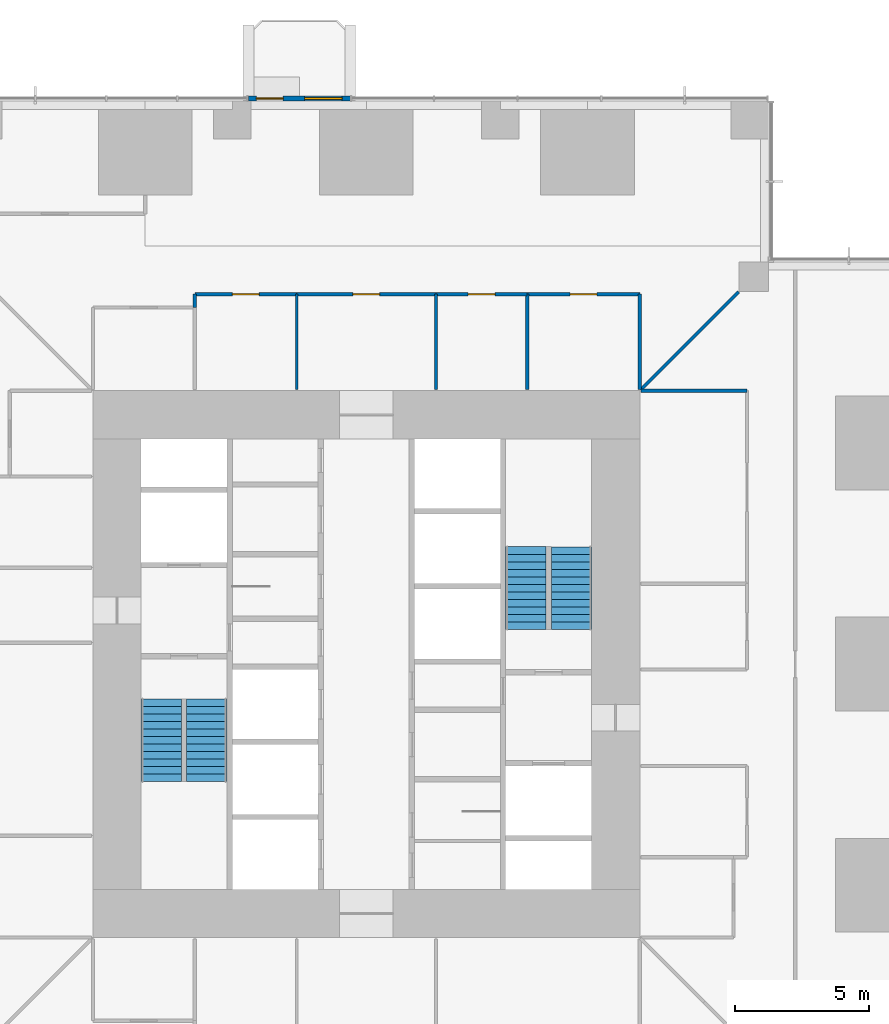
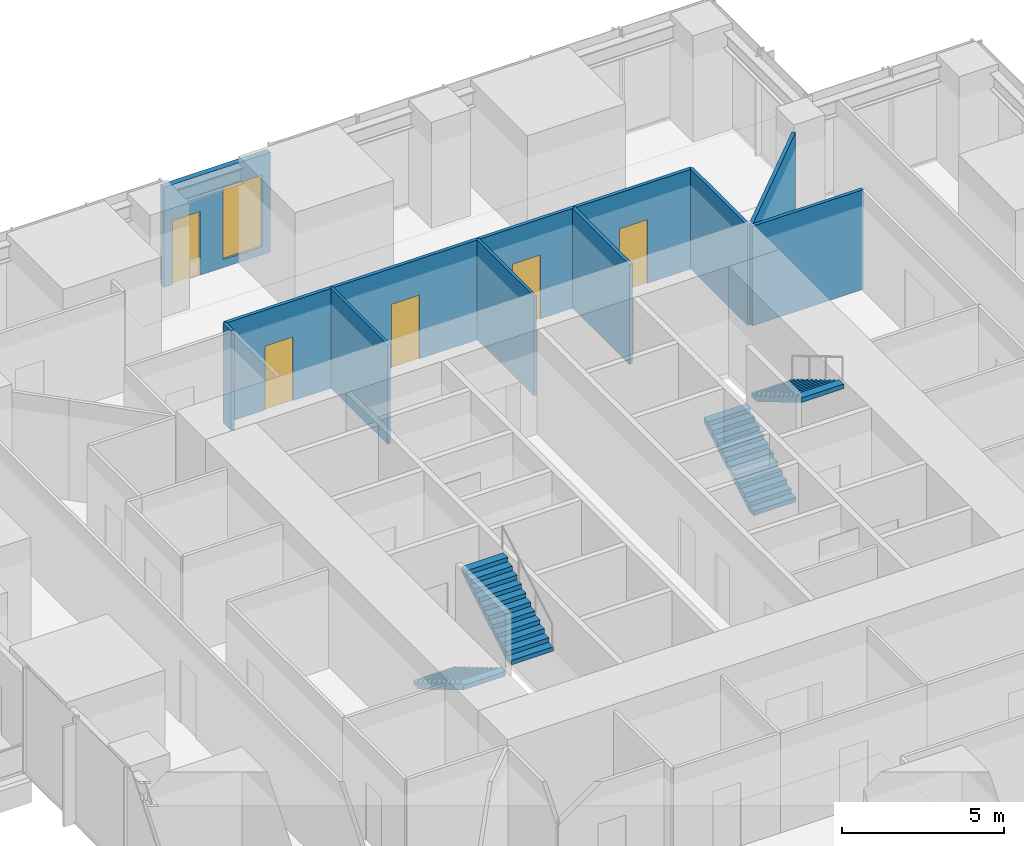
# One storey, part 12 of 15: 12 walls, 5 doors, 4 stair flights, 1 window, 6 openings, 2 elements without a shape of their own.
"""IFC4 building model written with IfcOpenShell, lengths in metres."""

from ifc_helpers import new_model, si_unit, direction, frame, frame_2d, origin, place, context, subcontext, project, spatial, polyline, rectangle, outline, extrude, material, layer, layer_set, type_object, element, fill, aggregate, save


model = new_model("IFC4")

# Units and contexts
model_context = context("Model", 3, precision=1e-05, world=origin(), true_north=direction((0.0, 1.0)))
body_context = subcontext(model_context, "Body", "Model", "MODEL_VIEW")
ifc_project = project(units=[si_unit("LENGTHUNIT", "METRE"), si_unit("AREAUNIT", "SQUARE_METRE"), si_unit("VOLUMEUNIT", "CUBIC_METRE"), si_unit("PLANEANGLEUNIT", "RADIAN"), si_unit("MASSUNIT", "GRAM", prefix="KILO")], contexts=[model_context])

# Site, building, storey
site_placement = place(None, origin())
site = spatial("IfcSite", under=ifc_project, at=site_placement, CompositionType="ELEMENT")
building_placement = place(site_placement, origin())
building = spatial("IfcBuilding", under=site, at=building_placement, Name="Svetlomir Tower", CompositionType="ELEMENT")
storey_placement = place(building_placement, frame((0.0, 0.0, 26.5)))
storey = spatial("IfcBuildingStorey", under=building, at=storey_placement, Name="L05", CompositionType="ELEMENT", Elevation=26.5)

# Wall, openings, door, window
ifc_material_1 = material(Name="Bronze anodised aluminium glazed screen", Category="aluminium")
ifc_layer_1 = layer(ifc_material_1, 0.199951171875)
ifc_layer_set_1 = layer_set([ifc_layer_1], Name="Bronze anodised aluminium glazed screen")
wall_type_1 = type_object("IfcWallType", Name="BALCONY SCREEN WALL 200", PredefinedType="USERDEFINED", material=ifc_layer_set_1)
wall_1_placement = place(storey_placement, frame((20.39990234375, 42.10009765625, 0.0), z_axis=(0.0, 0.0, 1.0), x_axis=(-1.0, 0.0, 0.0)))
wall_1 = element("IfcWall", 1, at=wall_1_placement, inside=storey, type_object=wall_type_1, Name="Balcony screen N", ObjectType="GLAZED SCREEN", PredefinedType="USERDEFINED", context=body_context, shape_type="SweptSolid", body=[
    extrude(rectangle(XDim=3.7998046875, YDim=0.199951171875, at=frame_2d((1.89990234375, 0.0))), origin(), (0.0, 0.0, 1.0), 3.75),
])
opening_1_placement = place(wall_1_placement, frame((2.5, 0.0, 0.0)))
opening_1 = element("IfcOpeningElement", 2, at=opening_1_placement, cuts=wall_1, Name="Opening BD", PredefinedType="OPENING", context=body_context, shape_type="SweptSolid", body=[
    extrude(rectangle(XDim=1.0, YDim=2.39990234375, at=frame_2d((0.5, 1.199951171875))), frame((0.0, 0.10986328125, 0.0), z_axis=(0.0, -1.0, 0.0), x_axis=(1.0, 0.0, 0.0)), (0.0, 0.0, 1.0), 0.219970703125),
])
opening_2_placement = place(wall_1_placement, frame((0.300048828125, 0.0, 0.300048828125)))
opening_2 = element("IfcOpeningElement", 3, at=opening_2_placement, cuts=wall_1, Name="Opening WS2", PredefinedType="OPENING", context=body_context, shape_type="SweptSolid", body=[
    extrude(rectangle(XDim=1.39990234375, YDim=2.699951171875, at=frame_2d((0.699951171875, 1.35009765625))), frame((0.0, 0.10986328125, 0.0), z_axis=(0.0, -1.0, 0.0), x_axis=(1.0, 0.0, 0.0)), (0.0, 0.0, 1.0), 0.219970703125),
])
ifc_material_2 = material(Name="Bronze anodised aluminium glazed door", Category="aluminium")
door_type_1 = type_object("IfcDoorType", Name="BALCONY DOOR BD 1000x2400", OperationType="SINGLE_SWING_LEFT", PredefinedType="DOOR", material=ifc_material_2)
door_1_placement = place(opening_1_placement, origin())
door_1 = element("IfcDoor", 4, at=door_1_placement, inside=storey, type_object=door_type_1, Name="Balcony screen N door", OperationType="SINGLE_SWING_LEFT", OverallHeight=2.39990234375, OverallWidth=1.0, PredefinedType="DOOR", context=body_context, shape_type="SweptSolid", body=[
    extrude(rectangle(XDim=1.0, YDim=2.39990234375, at=frame_2d((0.5, 1.199951171875))), frame((0.0, 0.02490234375, 0.0), z_axis=(0.0, -1.0, 0.0), x_axis=(1.0, 0.0, 0.0)), (0.0, 0.0, 1.0), 0.050048828125),
])
fill(opening_1, door_1)
ifc_material_3 = material(Name="Bronze anodised aluminium window", Category="aluminium")
window_type = type_object("IfcWindowType", Name="SCREEN WINDOW WS2 1400x2700", PartitioningType="SINGLE_PANEL", PredefinedType="WINDOW", material=ifc_material_3)
window_placement = place(opening_2_placement, origin())
window = element("IfcWindow", 5, at=window_placement, inside=storey, type_object=window_type, Name="Balcony screen N window 1", OverallHeight=2.699951171875, OverallWidth=1.39990234375, PartitioningType="SINGLE_PANEL", PredefinedType="WINDOW", context=body_context, shape_type="SweptSolid", body=[
    extrude(rectangle(XDim=1.39990234375, YDim=2.699951171875, at=frame_2d((0.699951171875, 1.35009765625))), frame((0.0, 0.030029296875, 0.0), z_axis=(0.0, -1.0, 0.0), x_axis=(1.0, 0.0, 0.0)), (0.0, 0.0, 1.0), 0.06005859375),
])
fill(opening_2, window)

# Walls
ifc_material_4 = material(Name="Framed laminated glass partition", Category="glass")
ifc_layer_2 = layer(ifc_material_4, 0.10009765625)
ifc_layer_set_2 = layer_set([ifc_layer_2], Name="Framed laminated glass partition")
wall_type_2 = type_object("IfcWallType", Name="GLAZED PARTITION 100", PredefinedType="PARTITIONING", material=ifc_layer_set_2)
for number, where, z_axis, x_axis, name in (
    (6, (18.39990234375, 31.25, 0.0), (0.0, 0.0, 1.0), (0.0, 1.0, 0.0), "Glazed partition L05"),
    (7, (23.60009765625, 31.25, 0.0), (0.0, 0.0, 1.0), (0.0, 1.0, 0.0), "Glazed partition L05"),
):
    element("IfcWall", number, at=place(storey_placement, frame(where, z_axis=z_axis, x_axis=x_axis)), inside=storey, type_object=wall_type_2, Name=name, PredefinedType="PARTITIONING", context=body_context, shape_type="SweptSolid", body=[
        extrude(rectangle(XDim=3.550048828125, YDim=0.10009765625, at=frame_2d((1.77490234375, 0.0))), origin(), (0.0, 0.0, 1.0), 3.75),
    ])
ifc_material_5 = material(Name="Gypsum board on steel studs", Category="steel")
ifc_layer_3 = layer(ifc_material_5, 0.1201171875)
ifc_layer_set_3 = layer_set([ifc_layer_3], Name="Gypsum board on steel studs")
wall_type_3 = type_object("IfcWallType", Name="PARTITION 120", PredefinedType="PARTITIONING", material=ifc_layer_set_3)
wall_2_placement = place(storey_placement, frame((14.60009765625, 34.300048828125, 0.0), z_axis=(0.0, 0.0, 1.0), x_axis=(0.0, 1.0, 0.0)))
element("IfcWall", 8, at=wall_2_placement, inside=storey, type_object=wall_type_3, Name="Partition L05", PredefinedType="PARTITIONING", context=body_context, shape_type="SweptSolid", body=[
    extrude(rectangle(XDim=0.5, YDim=0.1201171875, at=frame_2d((0.25, 0.0))), origin(), (0.0, 0.0, 1.0), 3.75),
])

# Wall, opening, door
wall_3_placement = place(storey_placement, frame((14.60009765625, 34.800048828125, 0.0), z_axis=(0.0, 0.0, 1.0), x_axis=(1.0, 0.0, 0.0)))
wall_3 = element("IfcWall", 9, at=wall_3_placement, inside=storey, type_object=wall_type_3, Name="Partition L05", PredefinedType="PARTITIONING", context=body_context, shape_type="SweptSolid", body=[
    extrude(rectangle(XDim=3.7998046875, YDim=0.1201171875, at=frame_2d((1.89990234375, 0.0))), origin(), (0.0, 0.0, 1.0), 3.75),
])
opening_3_placement = place(wall_3_placement, frame((1.39990234375, 0.0, 0.0)))
opening_3 = element("IfcOpeningElement", 10, at=opening_3_placement, cuts=wall_3, Name="Opening DG", PredefinedType="OPENING", context=body_context, shape_type="SweptSolid", body=[
    extrude(rectangle(XDim=1.0, YDim=2.39990234375, at=frame_2d((0.5, 1.199951171875))), frame((0.0, 0.070068359375, 0.0), z_axis=(0.0, -1.0, 0.0), x_axis=(1.0, 0.0, 0.0)), (0.0, 0.0, 1.0), 0.14013671875),
])
ifc_material_6 = material(Name="Framed laminated glass door", Category="glass")
door_type_2 = type_object("IfcDoorType", Name="GLAZED DOOR DG 1000x2400", OperationType="SINGLE_SWING_LEFT", PredefinedType="DOOR", material=ifc_material_6)
door_2_placement = place(opening_3_placement, origin())
door_2 = element("IfcDoor", 11, at=door_2_placement, inside=storey, type_object=door_type_2, Name="Meeting room, 8 seats door L05", OperationType="SINGLE_SWING_RIGHT", OverallHeight=2.39990234375, OverallWidth=1.0, PredefinedType="DOOR", context=body_context, shape_type="SweptSolid", body=[
    extrude(rectangle(XDim=1.0, YDim=2.39990234375, at=frame_2d((0.5, 1.199951171875))), frame((0.0, 0.02490234375, 0.0), z_axis=(0.0, -1.0, 0.0), x_axis=(1.0, 0.0, 0.0)), (0.0, 0.0, 1.0), 0.050048828125),
])
fill(opening_3, door_2)

wall_4_placement = place(storey_placement, frame((18.39990234375, 34.800048828125, 0.0), z_axis=(0.0, 0.0, 1.0), x_axis=(1.0, 0.0, 0.0)))
wall_4 = element("IfcWall", 12, at=wall_4_placement, inside=storey, type_object=wall_type_3, Name="Partition L05", PredefinedType="PARTITIONING", context=body_context, shape_type="SweptSolid", body=[
    extrude(rectangle(XDim=5.2001953125, YDim=0.1201171875, at=frame_2d((2.60009765625, 0.0))), origin(), (0.0, 0.0, 1.0), 3.75),
])
opening_4_placement = place(wall_4_placement, frame((2.10009765625, 0.0, 0.0)))
opening_4 = element("IfcOpeningElement", 13, at=opening_4_placement, cuts=wall_4, Name="Opening DG", PredefinedType="OPENING", context=body_context, shape_type="SweptSolid", body=[
    extrude(rectangle(XDim=1.0, YDim=2.39990234375, at=frame_2d((0.5, 1.199951171875))), frame((0.0, 0.070068359375, 0.0), z_axis=(0.0, -1.0, 0.0), x_axis=(1.0, 0.0, 0.0)), (0.0, 0.0, 1.0), 0.14013671875),
])
door_3_placement = place(opening_4_placement, origin())
door_3 = element("IfcDoor", 14, at=door_3_placement, inside=storey, type_object=door_type_2, Name="Ring corridor 4 door 2 L05", OperationType="SINGLE_SWING_LEFT", OverallHeight=2.39990234375, OverallWidth=1.0, PredefinedType="DOOR", context=body_context, shape_type="SweptSolid", body=[
    extrude(rectangle(XDim=1.0, YDim=2.39990234375, at=frame_2d((0.5, 1.199951171875))), frame((0.0, 0.02490234375, 0.0), z_axis=(0.0, -1.0, 0.0), x_axis=(1.0, 0.0, 0.0)), (0.0, 0.0, 1.0), 0.050048828125),
])
fill(opening_4, door_3)

wall_5_placement = place(storey_placement, frame((23.60009765625, 34.800048828125, 0.0), z_axis=(0.0, 0.0, 1.0), x_axis=(1.0, 0.0, 0.0)))
wall_5 = element("IfcWall", 15, at=wall_5_placement, inside=storey, type_object=wall_type_3, Name="Partition L05", PredefinedType="PARTITIONING", context=body_context, shape_type="SweptSolid", body=[
    extrude(rectangle(XDim=3.39990234375, YDim=0.1201171875, at=frame_2d((1.699951171875, 0.0))), origin(), (0.0, 0.0, 1.0), 3.75),
])
opening_5_placement = place(wall_5_placement, frame((1.199951171875, 0.0, 0.0)))
opening_5 = element("IfcOpeningElement", 16, at=opening_5_placement, cuts=wall_5, Name="Opening DG", PredefinedType="OPENING", context=body_context, shape_type="SweptSolid", body=[
    extrude(rectangle(XDim=1.0, YDim=2.39990234375, at=frame_2d((0.5, 1.199951171875))), frame((0.0, 0.070068359375, 0.0), z_axis=(0.0, -1.0, 0.0), x_axis=(1.0, 0.0, 0.0)), (0.0, 0.0, 1.0), 0.14013671875),
])
door_4_placement = place(opening_5_placement, origin())
door_4 = element("IfcDoor", 17, at=door_4_placement, inside=storey, type_object=door_type_2, Name="Meeting room, 4 seats door L05", OperationType="SINGLE_SWING_LEFT", OverallHeight=2.39990234375, OverallWidth=1.0, PredefinedType="DOOR", context=body_context, shape_type="SweptSolid", body=[
    extrude(rectangle(XDim=1.0, YDim=2.39990234375, at=frame_2d((0.5, 1.199951171875))), frame((0.0, 0.02490234375, 0.0), z_axis=(0.0, -1.0, 0.0), x_axis=(1.0, 0.0, 0.0)), (0.0, 0.0, 1.0), 0.050048828125),
])
fill(opening_5, door_4)

# Wall
wall_6_placement = place(storey_placement, frame((27.0, 31.25, 0.0), z_axis=(0.0, 0.0, 1.0), x_axis=(0.0, 1.0, 0.0)))
element("IfcWall", 18, at=wall_6_placement, inside=storey, type_object=wall_type_3, Name="Partition L05", PredefinedType="PARTITIONING", context=body_context, shape_type="SweptSolid", body=[
    extrude(rectangle(XDim=3.550048828125, YDim=0.1201171875, at=frame_2d((1.77490234375, 0.0))), origin(), (0.0, 0.0, 1.0), 3.75),
])

# Wall, opening, door
wall_7_placement = place(storey_placement, frame((27.0, 34.800048828125, 0.0), z_axis=(0.0, 0.0, 1.0), x_axis=(1.0, 0.0, 0.0)))
wall_7 = element("IfcWall", 19, at=wall_7_placement, inside=storey, type_object=wall_type_3, Name="Partition L05", PredefinedType="PARTITIONING", context=body_context, shape_type="SweptSolid", body=[
    extrude(rectangle(XDim=4.199951171875, YDim=0.1201171875, at=frame_2d((2.10009765625, 0.0))), origin(), (0.0, 0.0, 1.0), 3.75),
])
opening_6_placement = place(wall_7_placement, frame((1.60009765625, 0.0, 0.0)))
opening_6 = element("IfcOpeningElement", 20, at=opening_6_placement, cuts=wall_7, Name="Opening DG", PredefinedType="OPENING", context=body_context, shape_type="SweptSolid", body=[
    extrude(rectangle(XDim=1.0, YDim=2.39990234375, at=frame_2d((0.5, 1.199951171875))), frame((0.0, 0.070068359375, 0.0), z_axis=(0.0, -1.0, 0.0), x_axis=(1.0, 0.0, 0.0)), (0.0, 0.0, 1.0), 0.14013671875),
])
door_5_placement = place(opening_6_placement, origin())
door_5 = element("IfcDoor", 21, at=door_5_placement, inside=storey, type_object=door_type_2, Name="Phone rooms door L05", OperationType="SINGLE_SWING_RIGHT", OverallHeight=2.39990234375, OverallWidth=1.0, PredefinedType="DOOR", context=body_context, shape_type="SweptSolid", body=[
    extrude(rectangle(XDim=1.0, YDim=2.39990234375, at=frame_2d((0.5, 1.199951171875))), frame((0.0, 0.02490234375, 0.0), z_axis=(0.0, -1.0, 0.0), x_axis=(1.0, 0.0, 0.0)), (0.0, 0.0, 1.0), 0.050048828125),
])
fill(opening_6, door_5)

# Walls
wall_8_placement = place(storey_placement, frame((31.199951171875, 31.25, 0.0), z_axis=(0.0, 0.0, 1.0), x_axis=(0.0, 1.0, 0.0)))
element("IfcWall", 22, at=wall_8_placement, inside=storey, type_object=wall_type_3, Name="Partition L05", PredefinedType="PARTITIONING", context=body_context, shape_type="SweptSolid", body=[
    extrude(rectangle(XDim=3.550048828125, YDim=0.1201171875, at=frame_2d((1.77490234375, 0.0))), origin(), (0.0, 0.0, 1.0), 3.75),
])
wall_9_placement = place(storey_placement, frame((31.2353515625, 31.2353515625, 0.0), z_axis=(0.0, 0.0, 1.0), x_axis=(0.707106781187, 0.707106781187, 0.0)))
element("IfcWall", 23, at=wall_9_placement, inside=storey, type_object=wall_type_3, Name="Partition L05", PredefinedType="PARTITIONING", context=body_context, shape_type="SweptSolid", body=[
    extrude(rectangle(XDim=5.168212890625, YDim=0.1201171875, at=frame_2d((2.583984375, 0.0))), origin(), (0.0, 0.0, 1.0), 3.75),
])
wall_10_placement = place(storey_placement, frame((31.25, 31.199951171875, 0.0), z_axis=(0.0, 0.0, 1.0), x_axis=(1.0, 0.0, 0.0)))
element("IfcWall", 24, at=wall_10_placement, inside=storey, type_object=wall_type_3, Name="Partition L05", PredefinedType="PARTITIONING", context=body_context, shape_type="SweptSolid", body=[
    extrude(rectangle(XDim=3.949951171875, YDim=0.1201171875, at=frame_2d((1.97509765625, 0.0))), origin(), (0.0, 0.0, 1.0), 3.75),
])

# Stair, stair flights
ifc_material_7 = material(Name="Concrete C60/75", Category="concrete")
stair_type = type_object("IfcStairType", Name="EXIT STAIR 3200 RISE 4000", PredefinedType="HALF_TURN_STAIR", material=ifc_material_7)
stair_1_placement = place(storey_placement, origin())
stair_1 = element("IfcStair", 25, at=stair_1_placement, inside=storey, type_object=stair_type, Name="Stair S1 L05 to L06", PredefinedType="HALF_TURN_STAIR")
ifc_material_8 = material(Name="Concrete C60/75", Category="concrete")
stair_flight_type = type_object("IfcStairFlightType", Name="STAIR FLIGHT 1500 OF 12 RISERS", PredefinedType="STRAIGHT", material=ifc_material_8)
stair_flight_1_placement = place(storey_placement, frame((13.35009765625, 19.699951171875, 0.0), z_axis=(0.0, 0.0, 1.0), x_axis=(0.0, -1.0, 0.0)))
stair_flight_1 = element("IfcStairFlight", 26, at=stair_flight_1_placement, type_object=stair_flight_type, Name="S1 flight 1", NumberOfRisers=12, NumberOfTreads=11, PredefinedType="STRAIGHT", RiserHeight=0.166666667, TreadLength=0.28, context=body_context, shape_type="SweptSolid", body=[
    extrude(outline(polyline([(0.0, 0.0), (0.0, 0.166748046875), (0.280029296875, 0.166748046875), (0.280029296875, 0.333251953125), (0.56005859375, 0.333251953125), (0.56005859375, 0.5), (0.840087890625, 0.5), (0.840087890625, 0.666748046875), (1.1201171875, 0.666748046875), (1.1201171875, 0.833251953125), (1.39990234375, 0.833251953125), (1.39990234375, 1.0), (1.679931640625, 1.0), (1.679931640625, 1.166748046875), (1.9599609375, 1.166748046875), (1.9599609375, 1.333251953125), (2.239990234375, 1.333251953125), (2.239990234375, 1.5), (2.52001953125, 1.5), (2.52001953125, 1.666748046875), (2.800048828125, 1.666748046875), (2.800048828125, 1.833251953125), (3.080078125, 1.833251953125), (3.080078125, 2.0), (3.080078125, 1.658935546875), (0.29296875, 0.0), (0.0, 0.0)])), frame((0.0, 0.75, 0.0), z_axis=(0.0, -1.0, 0.0), x_axis=(1.0, 0.0, 0.0)), (0.0, 0.0, 1.0), 1.5),
])
stair_flight_2_placement = place(storey_placement, frame((15.050048828125, 16.6201171875, 2.0), z_axis=(0.0, 0.0, 1.0), x_axis=(0.0, 1.0, 0.0)))
stair_flight_2 = element("IfcStairFlight", 27, at=stair_flight_2_placement, type_object=stair_flight_type, Name="S1 flight 2", NumberOfRisers=12, NumberOfTreads=11, PredefinedType="STRAIGHT", RiserHeight=0.166666667, TreadLength=0.28, context=body_context, shape_type="SweptSolid", body=[
    extrude(outline(polyline([(0.0, 0.0), (0.0, 0.166748046875), (0.280029296875, 0.166748046875), (0.280029296875, 0.333251953125), (0.56005859375, 0.333251953125), (0.56005859375, 0.5), (0.840087890625, 0.5), (0.840087890625, 0.666748046875), (1.1201171875, 0.666748046875), (1.1201171875, 0.833251953125), (1.39990234375, 0.833251953125), (1.39990234375, 1.0), (1.679931640625, 1.0), (1.679931640625, 1.166748046875), (1.9599609375, 1.166748046875), (1.9599609375, 1.333251953125), (2.239990234375, 1.333251953125), (2.239990234375, 1.5), (2.52001953125, 1.5), (2.52001953125, 1.666748046875), (2.800048828125, 1.666748046875), (2.800048828125, 1.833251953125), (3.080078125, 1.833251953125), (3.080078125, 2.0), (3.080078125, 1.658935546875), (0.29296875, 0.0), (0.0, 0.0)])), frame((0.0, 0.75, 0.0), z_axis=(0.0, -1.0, 0.0), x_axis=(1.0, 0.0, 0.0)), (0.0, 0.0, 1.0), 1.5),
])
aggregate(stair_1, [stair_flight_1, stair_flight_2])

stair_2_placement = place(storey_placement, origin())
stair_2 = element("IfcStair", 28, at=stair_2_placement, inside=storey, type_object=stair_type, Name="Stair S2 L05 to L06", PredefinedType="HALF_TURN_STAIR")
stair_flight_3_placement = place(storey_placement, frame((26.949951171875, 22.300048828125, 0.0), z_axis=(0.0, 0.0, 1.0), x_axis=(0.0, 1.0, 0.0)))
stair_flight_3 = element("IfcStairFlight", 29, at=stair_flight_3_placement, type_object=stair_flight_type, Name="S2 flight 1", NumberOfRisers=12, NumberOfTreads=11, PredefinedType="STRAIGHT", RiserHeight=0.166666667, TreadLength=0.28, context=body_context, shape_type="SweptSolid", body=[
    extrude(outline(polyline([(0.0, 0.0), (0.0, 0.166748046875), (0.280029296875, 0.166748046875), (0.280029296875, 0.333251953125), (0.56005859375, 0.333251953125), (0.56005859375, 0.5), (0.840087890625, 0.5), (0.840087890625, 0.666748046875), (1.1201171875, 0.666748046875), (1.1201171875, 0.833251953125), (1.39990234375, 0.833251953125), (1.39990234375, 1.0), (1.679931640625, 1.0), (1.679931640625, 1.166748046875), (1.9599609375, 1.166748046875), (1.9599609375, 1.333251953125), (2.239990234375, 1.333251953125), (2.239990234375, 1.5), (2.52001953125, 1.5), (2.52001953125, 1.666748046875), (2.800048828125, 1.666748046875), (2.800048828125, 1.833251953125), (3.080078125, 1.833251953125), (3.080078125, 2.0), (3.080078125, 1.658935546875), (0.29296875, 0.0), (0.0, 0.0)])), frame((0.0, 0.75, 0.0), z_axis=(0.0, -1.0, 0.0), x_axis=(1.0, 0.0, 0.0)), (0.0, 0.0, 1.0), 1.5),
])
stair_flight_4_placement = place(storey_placement, frame((28.64990234375, 25.3798828125, 2.0), z_axis=(0.0, 0.0, 1.0), x_axis=(0.0, -1.0, 0.0)))
stair_flight_4 = element("IfcStairFlight", 30, at=stair_flight_4_placement, type_object=stair_flight_type, Name="S2 flight 2", NumberOfRisers=12, NumberOfTreads=11, PredefinedType="STRAIGHT", RiserHeight=0.166666667, TreadLength=0.28, context=body_context, shape_type="SweptSolid", body=[
    extrude(outline(polyline([(0.0, 0.0), (0.0, 0.166748046875), (0.280029296875, 0.166748046875), (0.280029296875, 0.333251953125), (0.56005859375, 0.333251953125), (0.56005859375, 0.5), (0.840087890625, 0.5), (0.840087890625, 0.666748046875), (1.1201171875, 0.666748046875), (1.1201171875, 0.833251953125), (1.39990234375, 0.833251953125), (1.39990234375, 1.0), (1.679931640625, 1.0), (1.679931640625, 1.166748046875), (1.9599609375, 1.166748046875), (1.9599609375, 1.333251953125), (2.239990234375, 1.333251953125), (2.239990234375, 1.5), (2.52001953125, 1.5), (2.52001953125, 1.666748046875), (2.800048828125, 1.666748046875), (2.800048828125, 1.833251953125), (3.080078125, 1.833251953125), (3.080078125, 2.0), (3.080078125, 1.658935546875), (0.29296875, 0.0), (0.0, 0.0)])), frame((0.0, 0.75, 0.0), z_axis=(0.0, -1.0, 0.0), x_axis=(1.0, 0.0, 0.0)), (0.0, 0.0, 1.0), 1.5),
])
aggregate(stair_2, [stair_flight_3, stair_flight_4])

save(model, "model.ifc")
